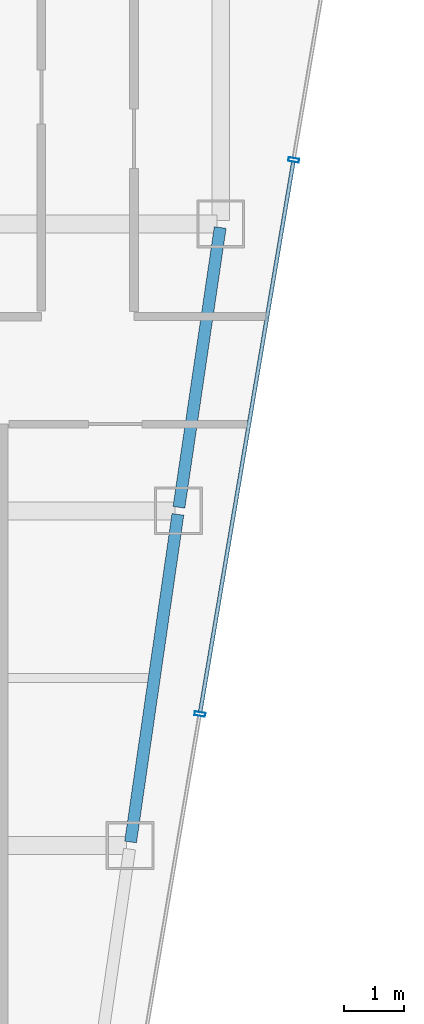
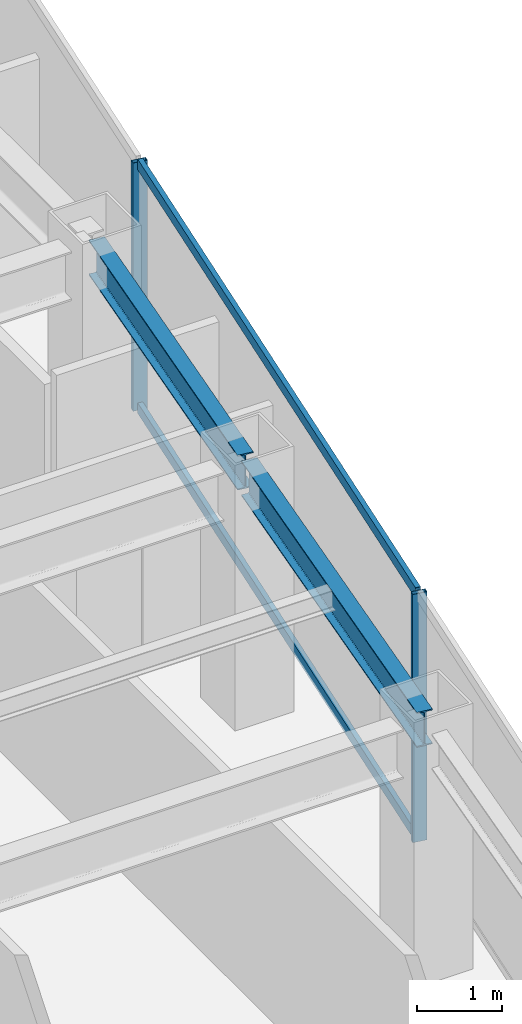
# One storey, part 22 of 36: 4 members, 2 beams, 1 element without a shape of its own.
"""IFC4 building model written with IfcOpenShell, lengths in metres."""

import ifcopenshell
import ifcopenshell.guid

model = None  # the IFC model being written
_history = None  # IfcOwnerHistory: only IFC2X3 demands one
_inside = {}  # id of a spatial element -> (the spatial element, [elements in it])
_under = {}  # id of a project, library or spatial element -> (it, [spatial elements below it])
_declared = {}  # id of a project -> (the project, [libraries it declares])
_typed = {}  # id of a type object -> (the type object, [elements of that type])
_made_of = {}  # id of a material, layer set ... -> (it, [elements and type objects made of it])


def new_model(schema):
    """Start an empty IFC model of exactly this schema.

    Asked for "IFC4X3", IfcOpenShell would pick the latest addendum, in which some entities
    have other attributes; the version numbers below select the first issue.
    IFC2X3 requires an IfcOwnerHistory on every rooted entity: one is made here for all.
    """
    global model, _history
    if schema == "IFC4X3":
        model = ifcopenshell.file(schema_version=(4, 3, 0, 0))
    else:
        model = ifcopenshell.file(schema=schema)
    _inside.clear()
    _under.clear()
    _declared.clear()
    _typed.clear()
    _made_of.clear()
    _history = None
    if model.schema == "IFC2X3":
        org = make("IfcOrganization", Name="unknown")
        user = make(
            "IfcPersonAndOrganization",
            ThePerson=make("IfcPerson", FamilyName="unknown"),
            TheOrganization=org,
        )
        app = make(
            "IfcApplication",
            ApplicationDeveloper=org,
            Version="unknown",
            ApplicationFullName="unknown",
            ApplicationIdentifier="unknown",
        )
        _history = make(
            "IfcOwnerHistory",
            OwningUser=user,
            OwningApplication=app,
            ChangeAction="ADDED",
            CreationDate=0,
        )
    return model


def make(cls, **values):
    """One entity of the class cls with the attributes given. An attribute that is None is left unset."""
    return model.create_entity(
        cls, **{name: value for name, value in values.items() if value is not None}
    )


def rooted(cls, **values):
    """An entity with a GlobalId (a new one), such as an element, a storey or a relation."""
    return make(cls, GlobalId=ifcopenshell.guid.new(), OwnerHistory=_history, **values)


def si_unit(unit_type, name, prefix=None):
    """IfcSIUnit, for example si_unit("LENGTHUNIT", "METRE", prefix="MILLI")."""
    return make("IfcSIUnit", UnitType=unit_type, Prefix=prefix, Name=name)


def assignment(units):
    """IfcUnitAssignment: the units of a project."""
    return None if units is None else make("IfcUnitAssignment", Units=units)


def point(xyz):
    """IfcCartesianPoint."""
    return None if xyz is None else make("IfcCartesianPoint", Coordinates=xyz)


def direction(xyz):
    """IfcDirection."""
    return None if xyz is None else make("IfcDirection", DirectionRatios=xyz)


def frame(location, z_axis=None, x_axis=None):
    """IfcAxis2Placement3D, a coordinate frame: its origin and axes. An axis left out is left unset."""
    return make(
        "IfcAxis2Placement3D",
        Location=point(location),
        Axis=direction(z_axis),
        RefDirection=direction(x_axis),
    )


def frame_2d(location, x_axis=None):
    """IfcAxis2Placement2D, a coordinate frame in the plane: its origin and x axis."""
    return make(
        "IfcAxis2Placement2D", Location=point(location), RefDirection=direction(x_axis)
    )


def origin():
    """The frame at (0, 0, 0) with its axes left unset."""
    return frame((0.0, 0.0, 0.0))


def origin_2d():
    """The frame at (0, 0) in the plane with its x axis left unset."""
    return frame_2d((0.0, 0.0))


def place(relative_to, where):
    """IfcLocalPlacement: puts the frame where relative to a parent placement (None: the world)."""
    return make(
        "IfcLocalPlacement", PlacementRelTo=relative_to, RelativePlacement=where
    )


def context(
    kind, dimensions, precision=None, world=None, true_north=None, identifier=None
):
    """IfcGeometricRepresentationContext, for example the 3D "Model" context."""
    return make(
        "IfcGeometricRepresentationContext",
        ContextIdentifier=identifier,
        ContextType=kind,
        CoordinateSpaceDimension=dimensions,
        Precision=precision,
        WorldCoordinateSystem=world,
        TrueNorth=true_north,
    )


def subcontext(parent, identifier, kind, view, scale=None):
    """IfcGeometricRepresentationSubContext, for example "Body" below "Model"."""
    return make(
        "IfcGeometricRepresentationSubContext",
        ContextIdentifier=identifier,
        ContextType=kind,
        ParentContext=parent,
        TargetScale=scale,
        TargetView=view,
    )


def project(units=None, contexts=None):
    """IfcProject with its units and contexts."""
    return rooted(
        "IfcProject",
        Name="project",
        RepresentationContexts=contexts,
        UnitsInContext=assignment(units),
    )


def spatial(cls, under=None, at=None, **own):
    """A site, building, storey or space (cls), placed at a placement, below another one or the project."""
    s = rooted(cls, ObjectPlacement=at, **own)
    if under is not None:
        _under.setdefault(under.id(), (under, []))[1].append(s)
    return s


def profile(cls, at=None, kind="AREA", **sizes):
    """A parametric profile (cls). Its sizes go by their IFC names, for example OverallWidth=200.0."""
    return make(cls, ProfileType=kind, Position=at, **sizes)


def hollow_rectangle(**sizes):
    """IfcRectangleHollowProfileDef."""
    return profile("IfcRectangleHollowProfileDef", **sizes)


def i_section(**sizes):
    """IfcIShapeProfileDef."""
    return profile("IfcIShapeProfileDef", **sizes)


def extrude(swept, where, along, depth):
    """IfcExtrudedAreaSolid: the profile swept, set in the frame where, extruded along a direction by depth."""
    return make(
        "IfcExtrudedAreaSolid",
        SweptArea=swept,
        Position=where,
        ExtrudedDirection=direction(along),
        Depth=depth,
    )


def shape(context_of_items, identifier, shape_type, items):
    """IfcShapeRepresentation: the items that make up one representation, for example the "Body"."""
    return make(
        "IfcShapeRepresentation",
        ContextOfItems=context_of_items,
        RepresentationIdentifier=identifier,
        RepresentationType=shape_type,
        Items=items,
    )


def material(Name=None, Category=None):
    """IfcMaterial."""
    return make("IfcMaterial", Name=Name, Category=Category)


def material_profile(
    of_material, cross_section, Name=None, Category=None, Priority=None
):
    """IfcMaterialProfile: a cross section and its material."""
    return make(
        "IfcMaterialProfile",
        Name=Name,
        Material=of_material,
        Profile=cross_section,
        Priority=Priority,
        Category=Category,
    )


def profile_set(profiles, Name=None, composite=None):
    """IfcMaterialProfileSet."""
    return make(
        "IfcMaterialProfileSet",
        Name=Name,
        MaterialProfiles=profiles,
        CompositeProfile=composite,
    )


def made_of(thing, what):
    """Note that an element or type object is made of a material, layer set ...; save() writes the relation."""
    if what is not None:
        _made_of.setdefault(what.id(), (what, []))[1].append(thing)
    return thing


def type_object(cls, material=None, **own):
    """A type object (cls), such as IfcWallType, which elements share."""
    return made_of(rooted(cls, **own), material)


def element(
    cls,
    number,
    at=None,
    inside=None,
    cuts=None,
    type_object=None,
    material=None,
    context=None,
    identifier="Body",
    shape_type=None,
    held_by="IfcProductDefinitionShape",
    body=None,
    shapes=None,
    **own,
):
    """One element of the class cls, such as IfcWall. Its Tag is "e" and its number.

    at: its placement. inside: the storey or other place that contains it. cuts: it is an
    opening in that element (IfcRelVoidsElement). A single representation is given by context,
    identifier, shape_type and body (its items); several are given by shapes. held_by: the class
    of the entity that holds the representations. save() writes the other relations.
    """
    e = rooted(cls, Tag="e%d" % number, ObjectPlacement=at, **own)
    if body is not None:
        shapes = [shape(context, identifier, shape_type, body)]
    if shapes is not None:
        e.Representation = make(held_by, Representations=shapes)
    if inside is not None:
        _inside.setdefault(inside.id(), (inside, []))[1].append(e)
    if cuts is not None:
        rooted(
            "IfcRelVoidsElement", RelatingBuildingElement=cuts, RelatedOpeningElement=e
        )
    if type_object is not None:
        _typed.setdefault(type_object.id(), (type_object, []))[1].append(e)
    return made_of(e, material)


def aggregate(whole, parts):
    """IfcRelAggregates: a whole, such as a stair, and the parts it consists of."""
    return rooted("IfcRelAggregates", RelatingObject=whole, RelatedObjects=parts)


def save(model, path):
    """Write the relations noted so far, then the file.

    IfcRelAggregates (storeys below a building ...), IfcRelContainedInSpatialStructure (elements
    in a storey), IfcRelDefinesByType, IfcRelAssociatesMaterial and IfcRelDeclares: one each for
    every whole, place, type object, material and project.
    """
    for whole, parts in _under.values():
        aggregate(whole, parts)
    for where, things in _inside.values():
        rooted(
            "IfcRelContainedInSpatialStructure",
            RelatedElements=things,
            RelatingStructure=where,
        )
    for kind, things in _typed.values():
        rooted("IfcRelDefinesByType", RelatedObjects=things, RelatingType=kind)
    for what, things in _made_of.values():
        rooted("IfcRelAssociatesMaterial", RelatedObjects=things, RelatingMaterial=what)
    for by, libraries in _declared.values():
        rooted("IfcRelDeclares", RelatingContext=by, RelatedDefinitions=libraries)
    model.write(path)


model = new_model("IFC4")

# Units and contexts
model_context = context("Model", 3, precision=1e-05, world=origin(), true_north=direction((0.0, 1.0)))
body_context = subcontext(model_context, "Body", "Model", "MODEL_VIEW")
ifc_project = project(units=[si_unit("LENGTHUNIT", "METRE"), si_unit("AREAUNIT", "SQUARE_METRE"), si_unit("VOLUMEUNIT", "CUBIC_METRE"), si_unit("PLANEANGLEUNIT", "RADIAN"), si_unit("MASSUNIT", "GRAM", prefix="KILO")], contexts=[model_context])

# Site, building, storey
site_placement = place(None, origin())
site = spatial("IfcSite", under=ifc_project, at=site_placement, CompositionType="ELEMENT")
building_placement = place(site_placement, origin())
building = spatial("IfcBuilding", under=site, at=building_placement, Name="Saevonmaru Cultural Tower", CompositionType="ELEMENT")
storey_placement = place(building_placement, frame((0.0, 0.0, 209.39990234375)))
storey = spatial("IfcBuildingStorey", under=building, at=storey_placement, Name="L48", CompositionType="ELEMENT", Elevation=209.39990234375)

# Beams
ifc_material_1 = material(Name="Steel SM355", Category="steel")
ifc_material_profile_1 = material_profile(ifc_material_1, i_section(OverallWidth=0.199951171875, OverallDepth=0.5, WebThickness=0.010009765625, FlangeThickness=0.01611328125, FilletRadius=0.02001953125, at=origin_2d()), Name="H-500x200x10x16")
ifc_profile_set_1 = profile_set([ifc_material_profile_1], Name="Steel SM355")
beam_type = type_object("IfcBeamType", Name="BM-SP-H500", PredefinedType="SPANDREL", material=ifc_profile_set_1)
beam_1_placement = place(storey_placement, frame((51.691650390625, 32.059326171875, 3.300048828125), z_axis=(0.142964121327, 0.989727871697, 0.0), x_axis=(-0.989727871697, 0.142964121327, 0.0)))
element("IfcBeam", 1, at=beam_1_placement, inside=storey, type_object=beam_type, Name="L48 East Splayed Spandrel 3", PredefinedType="SPANDREL", context=body_context, shape_type="SweptSolid", body=[
    extrude(i_section(OverallWidth=0.199951171875, OverallDepth=0.5, WebThickness=0.010009765625, FlangeThickness=0.01611328125, FilletRadius=0.02001953125, at=origin_2d()), origin(), (0.0, 0.0, 1.0), 5.5380859375),
])
beam_2_placement = place(storey_placement, frame((52.500732421875, 37.659423828125, 3.300048828125), z_axis=(0.145912860028, 0.989297446312, 0.0), x_axis=(-0.989297446312, 0.145912860028, 0.0)))
element("IfcBeam", 2, at=beam_2_placement, inside=storey, type_object=beam_type, Name="L48 East Splayed Spandrel 4", PredefinedType="SPANDREL", context=body_context, shape_type="SweptSolid", body=[
    extrude(i_section(OverallWidth=0.199951171875, OverallDepth=0.5, WebThickness=0.010009765625, FlangeThickness=0.01611328125, FilletRadius=0.02001953125, at=origin_2d()), origin(), (0.0, 0.0, 1.0), 4.731689453125),
])

# Curtain wall, members
ifc_material_2 = material(Name="Satin Bronze Anodised Aluminium", Category="aluminium")
curtain_wall_type = type_object("IfcCurtainWallType", Name="CW-TYP-B", PredefinedType="NOTDEFINED", material=ifc_material_2)
curtain_wall_placement = place(storey_placement, origin())
curtain_wall = element("IfcCurtainWall", 3, at=curtain_wall_placement, inside=storey, type_object=curtain_wall_type, Name="L48 Unitised Curtain Wall E8", PredefinedType="NOTDEFINED")
ifc_material_profile_2 = material_profile(ifc_material_2, hollow_rectangle(XDim=0.06494140625, YDim=0.179931640625, WallThickness=0.00390625, at=origin_2d()), Name="ALU-MULL-180x65x4")
ifc_profile_set_2 = profile_set([ifc_material_profile_2], Name="Satin Bronze Anodised Aluminium")
member_type_1 = type_object("IfcMemberType", Name="ML-CW-180x65", PredefinedType="MULLION", material=ifc_profile_set_2)
member_1_placement = place(storey_placement, frame((52.85107421875, 34.199951171875, 0.0), z_axis=(0.0, 0.0, 1.0), x_axis=(0.16692169721, 0.985970155228, 0.0)))
member_1 = element("IfcMember", 4, at=member_1_placement, type_object=member_type_1, Name="CW-TW-L48-E8 mullion 3", PredefinedType="MULLION", context=body_context, shape_type="SweptSolid", body=[
    extrude(hollow_rectangle(XDim=0.06494140625, YDim=0.179931640625, WallThickness=0.00390625, at=origin_2d()), origin(), (0.0, 0.0, 1.0), 3.550048828125),
])
member_2_placement = place(storey_placement, frame((54.420654296875, 43.470458984375, 0.0), z_axis=(0.0, 0.0, 1.0), x_axis=(0.16692169721, 0.985970155228, 0.0)))
member_2 = element("IfcMember", 5, at=member_2_placement, type_object=member_type_1, Name="CW-TW-L48-E8 mullion 4", PredefinedType="MULLION", context=body_context, shape_type="SweptSolid", body=[
    extrude(hollow_rectangle(XDim=0.06494140625, YDim=0.179931640625, WallThickness=0.00390625, at=origin_2d()), origin(), (0.0, 0.0, 1.0), 3.550048828125),
])
ifc_material_profile_3 = material_profile(ifc_material_2, hollow_rectangle(XDim=0.06494140625, YDim=0.14990234375, WallThickness=0.00390625, at=origin_2d()), Name="ALU-TRAN-150x65x4")
ifc_profile_set_3 = profile_set([ifc_material_profile_3], Name="Satin Bronze Anodised Aluminium")
member_type_2 = type_object("IfcMemberType", Name="TR-CW-150x65", PredefinedType="USERDEFINED", material=ifc_profile_set_3)
member_3_placement = place(storey_placement, frame((52.8564453125, 34.23193359375, 0.03271484375), z_axis=(0.166916960754, 0.985970957084, 0.0), x_axis=(-0.985970957084, 0.166916960754, 0.0)))
member_3 = element("IfcMember", 6, at=member_3_placement, type_object=member_type_2, Name="CW-TW-L48-E8 transom 3.1", ObjectType="TRANSOM", PredefinedType="USERDEFINED", context=body_context, shape_type="SweptSolid", body=[
    extrude(hollow_rectangle(XDim=0.06494140625, YDim=0.14990234375, WallThickness=0.00390625, at=origin_2d()), origin(), (0.0, 0.0, 1.0), 9.337646484375),
])
member_4_placement = place(storey_placement, frame((52.8564453125, 34.23193359375, 3.517578125), z_axis=(0.166916960754, 0.985970957084, 0.0), x_axis=(-0.985970957084, 0.166916960754, 0.0)))
member_4 = element("IfcMember", 7, at=member_4_placement, type_object=member_type_2, Name="CW-TW-L48-E8 transom 3.2", ObjectType="TRANSOM", PredefinedType="USERDEFINED", context=body_context, shape_type="SweptSolid", body=[
    extrude(hollow_rectangle(XDim=0.06494140625, YDim=0.14990234375, WallThickness=0.00390625, at=origin_2d()), origin(), (0.0, 0.0, 1.0), 9.337646484375),
])
aggregate(curtain_wall, [member_1, member_2, member_3, member_4])

save(model, "model.ifc")
